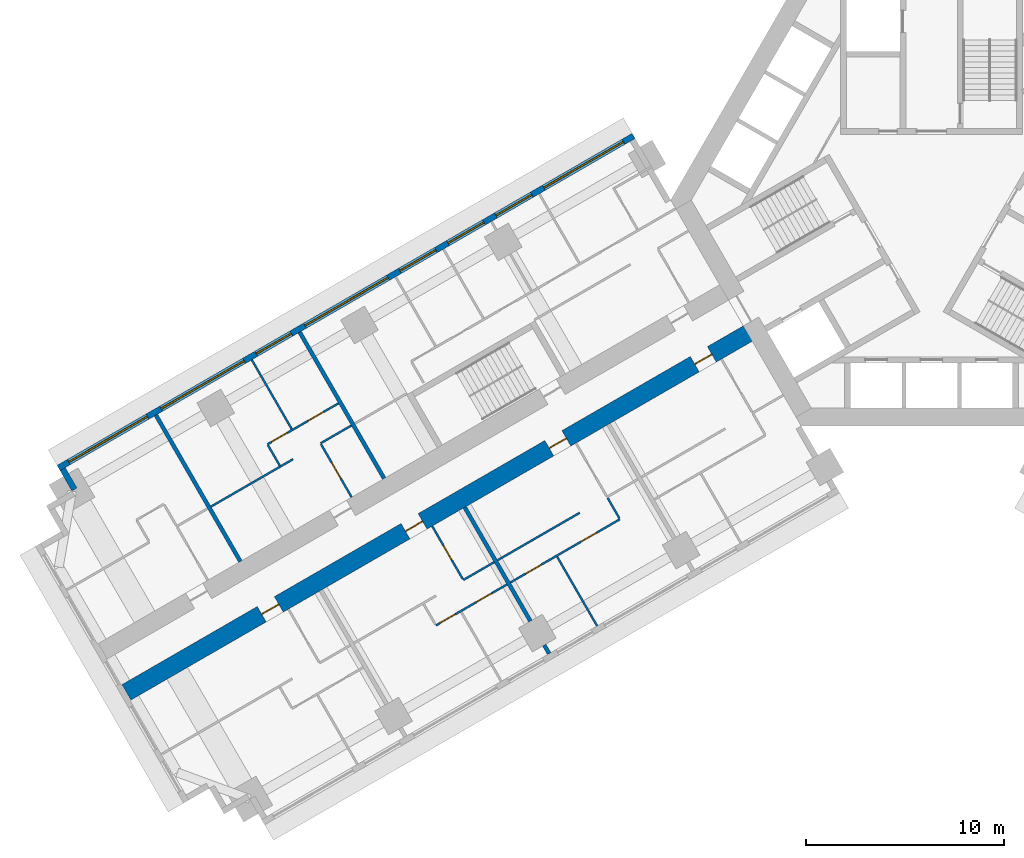
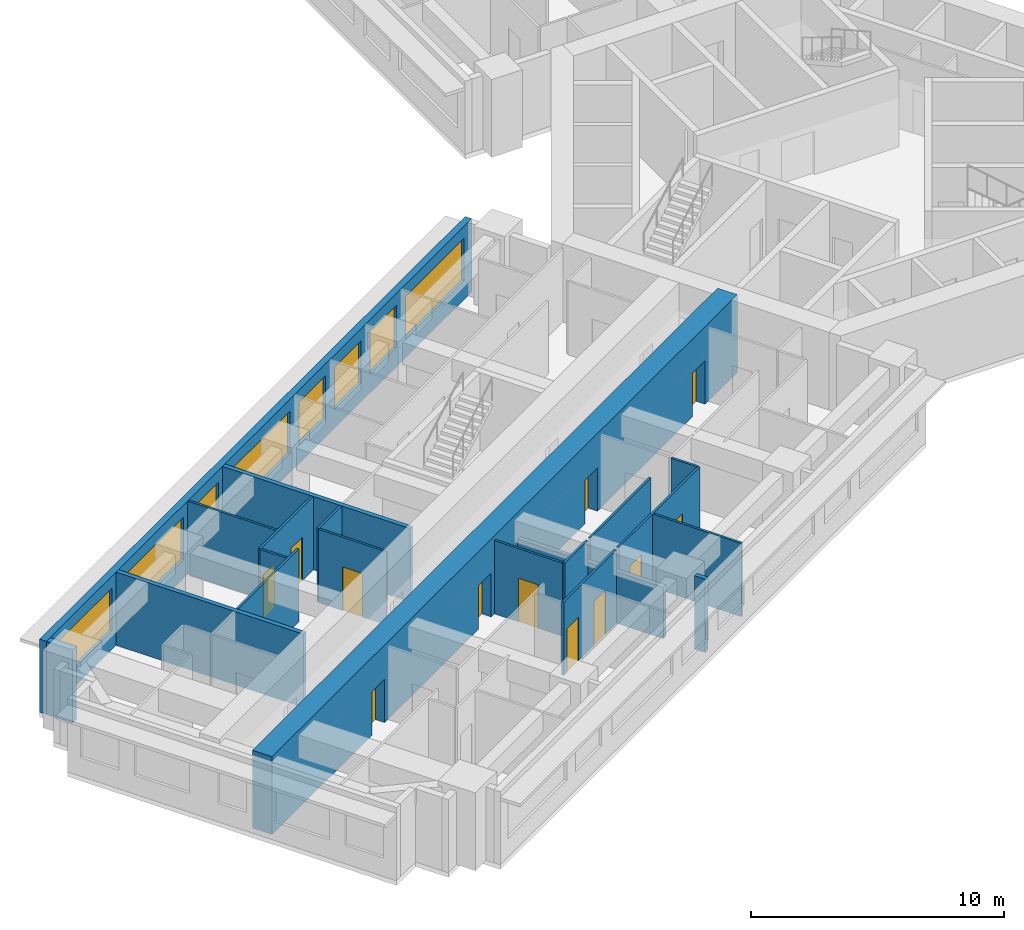
# One storey, part 4 of 15: 20 walls, 12 doors, 8 windows, 20 openings.
"""IFC4 building model written with IfcOpenShell, lengths in metres."""

from ifc_helpers import new_model, si_unit, direction, frame, frame_2d, origin, place, context, subcontext, project, spatial, rectangle, extrude, material, layer, layer_set, type_object, element, fill, save


model = new_model("IFC4")

# Units and contexts
model_context = context("Model", 3, precision=1e-05, world=origin(), true_north=direction((0.0, 1.0)))
body_context = subcontext(model_context, "Body", "Model", "MODEL_VIEW")
ifc_project = project(units=[si_unit("LENGTHUNIT", "METRE"), si_unit("AREAUNIT", "SQUARE_METRE"), si_unit("VOLUMEUNIT", "CUBIC_METRE"), si_unit("PLANEANGLEUNIT", "RADIAN"), si_unit("MASSUNIT", "GRAM", prefix="KILO")], contexts=[model_context])

# Site, building, storey
site_placement = place(None, origin())
site = spatial("IfcSite", under=ifc_project, at=site_placement, CompositionType="ELEMENT")
building_placement = place(site_placement, origin())
building = spatial("IfcBuilding", under=site, at=building_placement, Name="Impinga Residences", CompositionType="ELEMENT")
storey_placement = place(building_placement, frame((0.0, 0.0, 82.25)))
storey = spatial("IfcBuildingStorey", under=building, at=storey_placement, Name="L20", CompositionType="ELEMENT", Elevation=82.25)

# Wall, openings, doors
ifc_material_1 = material(Name="Concrete C70/85", Category="concrete")
ifc_layer_1 = layer(ifc_material_1, 0.89990234375)
ifc_layer_set_1 = layer_set([ifc_layer_1], Name="Concrete C70/85")
wall_type_1 = type_object("IfcWallType", Name="BW1 corridor buttress wall, L05 to L22 900", PredefinedType="SHEAR", material=ifc_layer_set_1)
wall_1_placement = place(storey_placement, frame((-8.910400390625, -6.530029296875, 0.0), z_axis=(0.0, 0.0, 1.0), x_axis=(-0.866025284237, -0.500000207062, 0.0)))
wall_1 = element("IfcWall", 1, at=wall_1_placement, inside=storey, type_object=wall_type_1, Name="Corridor wall BW1 WC L20", PredefinedType="SHEAR", context=body_context, shape_type="SweptSolid", body=[
    extrude(rectangle(XDim=36.75, YDim=0.89990234375, at=frame_2d((18.375, 0.0))), origin(), (0.0, 0.0, 1.0), 3.75),
])
opening_1_placement = place(wall_1_placement, frame((2.550048828125, 0.0, 0.0)))
opening_1 = element("IfcOpeningElement", 2, at=opening_1_placement, cuts=wall_1, Name="Opening D1", PredefinedType="OPENING", context=body_context, shape_type="SweptSolid", body=[
    extrude(rectangle(XDim=1.0, YDim=2.10009765625, at=frame_2d((0.5, 1.050048828125))), frame((0.0, 0.4599609375, 0.0), z_axis=(0.0, -1.0, 0.0), x_axis=(1.0, 0.0, 0.0)), (0.0, 0.0, 1.0), 0.919921875),
])
opening_2_placement = place(wall_1_placement, frame((11.050048828125, 0.0, 0.0)))
opening_2 = element("IfcOpeningElement", 3, at=opening_2_placement, cuts=wall_1, Name="Opening D1", PredefinedType="OPENING", context=body_context, shape_type="SweptSolid", body=[
    extrude(rectangle(XDim=1.0, YDim=2.10009765625, at=frame_2d((0.5, 1.050048828125))), frame((0.0, 0.4599609375, 0.0), z_axis=(0.0, -1.0, 0.0), x_axis=(1.0, 0.0, 0.0)), (0.0, 0.0, 1.0), 0.919921875),
])
opening_3_placement = place(wall_1_placement, frame((19.449951171875, 0.0, 0.0)))
opening_3 = element("IfcOpeningElement", 4, at=opening_3_placement, cuts=wall_1, Name="Opening D1", PredefinedType="OPENING", context=body_context, shape_type="SweptSolid", body=[
    extrude(rectangle(XDim=1.0, YDim=2.10009765625, at=frame_2d((0.5, 1.050048828125))), frame((0.0, 0.4599609375, 0.0), z_axis=(0.0, -1.0, 0.0), x_axis=(1.0, 0.0, 0.0)), (0.0, 0.0, 1.0), 0.919921875),
])
opening_4_placement = place(wall_1_placement, frame((27.85009765625, 0.0, 0.0)))
opening_4 = element("IfcOpeningElement", 5, at=opening_4_placement, cuts=wall_1, Name="Opening D1", PredefinedType="OPENING", context=body_context, shape_type="SweptSolid", body=[
    extrude(rectangle(XDim=1.0, YDim=2.10009765625, at=frame_2d((0.5, 1.050048828125))), frame((0.0, 0.4599609375, 0.0), z_axis=(0.0, -1.0, 0.0), x_axis=(1.0, 0.0, 0.0)), (0.0, 0.0, 1.0), 0.919921875),
])
ifc_material_2 = material(Name="Timber door set", Category="wood")
door_type_1 = type_object("IfcDoorType", Name="D1 apartment entrance door 1000x2100", OperationType="SINGLE_SWING_LEFT", PredefinedType="DOOR", material=ifc_material_2)
door_1_placement = place(opening_1_placement, origin())
door_1 = element("IfcDoor", 6, at=door_1_placement, inside=storey, type_object=door_type_1, Name="Apartment L20-WA1 entrance", OperationType="SINGLE_SWING_LEFT", OverallHeight=2.10009765625, OverallWidth=1.0, PredefinedType="DOOR", context=body_context, shape_type="SweptSolid", body=[
    extrude(rectangle(XDim=1.0, YDim=2.10009765625, at=frame_2d((0.5, 1.050048828125))), frame((0.0, 0.02490234375, 0.0), z_axis=(0.0, -1.0, 0.0), x_axis=(1.0, 0.0, 0.0)), (0.0, 0.0, 1.0), 0.050048828125),
])
fill(opening_1, door_1)
door_2_placement = place(opening_2_placement, origin())
door_2 = element("IfcDoor", 7, at=door_2_placement, inside=storey, type_object=door_type_1, Name="Apartment L20-WA2 entrance", OperationType="SINGLE_SWING_LEFT", OverallHeight=2.10009765625, OverallWidth=1.0, PredefinedType="DOOR", context=body_context, shape_type="SweptSolid", body=[
    extrude(rectangle(XDim=1.0, YDim=2.10009765625, at=frame_2d((0.5, 1.050048828125))), frame((0.0, 0.02490234375, 0.0), z_axis=(0.0, -1.0, 0.0), x_axis=(1.0, 0.0, 0.0)), (0.0, 0.0, 1.0), 0.050048828125),
])
fill(opening_2, door_2)
door_3_placement = place(opening_3_placement, origin())
door_3 = element("IfcDoor", 8, at=door_3_placement, inside=storey, type_object=door_type_1, Name="Apartment L20-WA3 entrance", OperationType="SINGLE_SWING_RIGHT", OverallHeight=2.10009765625, OverallWidth=1.0, PredefinedType="DOOR", context=body_context, shape_type="SweptSolid", body=[
    extrude(rectangle(XDim=1.0, YDim=2.10009765625, at=frame_2d((0.5, 1.050048828125))), frame((0.0, 0.02490234375, 0.0), z_axis=(0.0, -1.0, 0.0), x_axis=(1.0, 0.0, 0.0)), (0.0, 0.0, 1.0), 0.050048828125),
])
fill(opening_3, door_3)
door_4_placement = place(opening_4_placement, origin())
door_4 = element("IfcDoor", 9, at=door_4_placement, inside=storey, type_object=door_type_1, Name="Apartment L20-WA4 entrance", OperationType="SINGLE_SWING_RIGHT", OverallHeight=2.10009765625, OverallWidth=1.0, PredefinedType="DOOR", context=body_context, shape_type="SweptSolid", body=[
    extrude(rectangle(XDim=1.0, YDim=2.10009765625, at=frame_2d((0.5, 1.050048828125))), frame((0.0, 0.02490234375, 0.0), z_axis=(0.0, -1.0, 0.0), x_axis=(1.0, 0.0, 0.0)), (0.0, 0.0, 1.0), 0.050048828125),
])
fill(opening_4, door_4)

# Wall
ifc_material_3 = material(Name="Terracotta rainscreen on blockwork", Category="masonry")
ifc_layer_2 = layer(ifc_material_3, 0.300048828125)
ifc_layer_set_2 = layer_set([ifc_layer_2], Name="EW1 external wall, terracotta rainscreen on blockwork 300")
wall_type_2 = type_object("IfcWallType", Name="EW1 external wall, terracotta rainscreen on blockwork 300", PredefinedType="SOLIDWALL", material=ifc_layer_set_2)
wall_2_placement = place(storey_placement, frame((-43.37109375, -14.64208984375, 0.0), z_axis=(0.0, 0.0, 1.0), x_axis=(-0.500029051137, 0.866008630453, 0.0)))
element("IfcWall", 10, at=wall_2_placement, inside=storey, type_object=wall_type_2, Name="External wall EW1 L20", PredefinedType="SOLIDWALL", context=body_context, shape_type="SweptSolid", body=[
    extrude(rectangle(XDim=1.19482421875, YDim=0.300048828125, at=frame_2d((0.597412109375, 0.0))), origin(), (0.0, 0.0, 1.0), 3.530029296875),
])

# Wall, openings, windows
wall_3_placement = place(storey_placement, frame((-44.17333984375, -13.552490234375, 0.0), z_axis=(0.0, 0.0, 1.0), x_axis=(0.866024291668, 0.500001926238, 0.0)))
wall_3 = element("IfcWall", 11, at=wall_3_placement, inside=storey, type_object=wall_type_2, Name="External wall EW1 L20", PredefinedType="SOLIDWALL", context=body_context, shape_type="SweptSolid", body=[
    extrude(rectangle(XDim=33.599853515625, YDim=0.300048828125, at=frame_2d((16.7998046875, 0.0))), origin(), (0.0, 0.0, 1.0), 3.530029296875),
])
opening_5_placement = place(wall_3_placement, frame((0.60009765625, 0.0, 0.89990234375)))
opening_5 = element("IfcOpeningElement", 12, at=opening_5_placement, cuts=wall_3, Name="Opening W3", PredefinedType="OPENING", context=body_context, shape_type="SweptSolid", body=[
    extrude(rectangle(XDim=4.60009765625, YDim=2.050048828125, at=frame_2d((2.300048828125, 1.02490234375))), frame((0.0, 0.159912109375, 0.0), z_axis=(0.0, -1.0, 0.0), x_axis=(1.0, 0.0, 0.0)), (0.0, 0.0, 1.0), 0.320068359375),
])
opening_6_placement = place(wall_3_placement, frame((6.0, 0.0, 0.89990234375)))
opening_6 = element("IfcOpeningElement", 13, at=opening_6_placement, cuts=wall_3, Name="Opening W6", PredefinedType="OPENING", context=body_context, shape_type="SweptSolid", body=[
    extrude(rectangle(XDim=4.85009765625, YDim=2.050048828125, at=frame_2d((2.425048828125, 1.02490234375))), frame((0.0, 0.159912109375, 0.0), z_axis=(0.0, -1.0, 0.0), x_axis=(1.0, 0.0, 0.0)), (0.0, 0.0, 1.0), 0.320068359375),
])
opening_7_placement = place(wall_3_placement, frame((11.550048828125, 0.0, 0.89990234375)))
opening_7 = element("IfcOpeningElement", 14, at=opening_7_placement, cuts=wall_3, Name="Opening W14", PredefinedType="OPENING", context=body_context, shape_type="SweptSolid", body=[
    extrude(rectangle(XDim=2.050048828125, YDim=2.050048828125, at=frame_2d((1.02490234375, 1.02490234375))), frame((0.0, 0.159912109375, 0.0), z_axis=(0.0, -1.0, 0.0), x_axis=(1.0, 0.0, 0.0)), (0.0, 0.0, 1.0), 0.320068359375),
])
opening_8_placement = place(wall_3_placement, frame((14.39990234375, 0.0, 0.89990234375)))
opening_8 = element("IfcOpeningElement", 15, at=opening_8_placement, cuts=wall_3, Name="Opening W6", PredefinedType="OPENING", context=body_context, shape_type="SweptSolid", body=[
    extrude(rectangle(XDim=4.85009765625, YDim=2.050048828125, at=frame_2d((2.425048828125, 1.02490234375))), frame((0.0, 0.159912109375, 0.0), z_axis=(0.0, -1.0, 0.0), x_axis=(1.0, 0.0, 0.0)), (0.0, 0.0, 1.0), 0.320068359375),
])
opening_9_placement = place(wall_3_placement, frame((19.949951171875, 0.0, 0.89990234375)))
opening_9 = element("IfcOpeningElement", 16, at=opening_9_placement, cuts=wall_3, Name="Opening W9", PredefinedType="OPENING", context=body_context, shape_type="SweptSolid", body=[
    extrude(rectangle(XDim=2.10009765625, YDim=2.050048828125, at=frame_2d((1.050048828125, 1.02490234375))), frame((0.0, 0.159912109375, 0.0), z_axis=(0.0, -1.0, 0.0), x_axis=(1.0, 0.0, 0.0)), (0.0, 0.0, 1.0), 0.320068359375),
])
opening_10_placement = place(wall_3_placement, frame((22.75, 0.0, 0.89990234375)))
opening_10 = element("IfcOpeningElement", 17, at=opening_10_placement, cuts=wall_3, Name="Opening W9", PredefinedType="OPENING", context=body_context, shape_type="SweptSolid", body=[
    extrude(rectangle(XDim=2.10009765625, YDim=2.050048828125, at=frame_2d((1.050048828125, 1.02490234375))), frame((0.0, 0.159912109375, 0.0), z_axis=(0.0, -1.0, 0.0), x_axis=(1.0, 0.0, 0.0)), (0.0, 0.0, 1.0), 0.320068359375),
])
opening_11_placement = place(wall_3_placement, frame((25.550048828125, 0.0, 0.89990234375)))
opening_11 = element("IfcOpeningElement", 18, at=opening_11_placement, cuts=wall_3, Name="Opening W9", PredefinedType="OPENING", context=body_context, shape_type="SweptSolid", body=[
    extrude(rectangle(XDim=2.10009765625, YDim=2.050048828125, at=frame_2d((1.050048828125, 1.02490234375))), frame((0.0, 0.159912109375, 0.0), z_axis=(0.0, -1.0, 0.0), x_axis=(1.0, 0.0, 0.0)), (0.0, 0.0, 1.0), 0.320068359375),
])
opening_12_placement = place(wall_3_placement, frame((28.35009765625, 0.0, 0.89990234375)))
opening_12 = element("IfcOpeningElement", 19, at=opening_12_placement, cuts=wall_3, Name="Opening W10", PredefinedType="OPENING", context=body_context, shape_type="SweptSolid", body=[
    extrude(rectangle(XDim=4.64990234375, YDim=2.050048828125, at=frame_2d((2.324951171875, 1.02490234375))), frame((0.0, 0.159912109375, 0.0), z_axis=(0.0, -1.0, 0.0), x_axis=(1.0, 0.0, 0.0)), (0.0, 0.0, 1.0), 0.320068359375),
])
ifc_material_4 = material(Name="Aluminium window, clear double glazing", Category="aluminium")
window_type_1 = type_object("IfcWindowType", Name="W10 ribbon window 4650x2050", PartitioningType="SINGLE_PANEL", PredefinedType="WINDOW", material=ifc_material_4)
window_1_placement = place(opening_12_placement, origin())
window_1 = element("IfcWindow", 20, at=window_1_placement, inside=storey, type_object=window_type_1, Name="Window L20", OverallHeight=2.050048828125, OverallWidth=4.64990234375, PartitioningType="SINGLE_PANEL", PredefinedType="WINDOW", context=body_context, shape_type="SweptSolid", body=[
    extrude(rectangle(XDim=4.64990234375, YDim=2.050048828125, at=frame_2d((2.324951171875, 1.02490234375))), frame((0.0, 0.030029296875, 0.0), z_axis=(0.0, -1.0, 0.0), x_axis=(1.0, 0.0, 0.0)), (0.0, 0.0, 1.0), 0.06005859375),
])
fill(opening_12, window_1)
window_type_2 = type_object("IfcWindowType", Name="W14 ribbon window 2050x2050", PartitioningType="SINGLE_PANEL", PredefinedType="WINDOW", material=ifc_material_4)
window_2_placement = place(opening_7_placement, origin())
window_2 = element("IfcWindow", 21, at=window_2_placement, inside=storey, type_object=window_type_2, Name="Window L20", OverallHeight=2.050048828125, OverallWidth=2.050048828125, PartitioningType="SINGLE_PANEL", PredefinedType="WINDOW", context=body_context, shape_type="SweptSolid", body=[
    extrude(rectangle(XDim=2.050048828125, YDim=2.050048828125, at=frame_2d((1.02490234375, 1.02490234375))), frame((0.0, 0.030029296875, 0.0), z_axis=(0.0, -1.0, 0.0), x_axis=(1.0, 0.0, 0.0)), (0.0, 0.0, 1.0), 0.06005859375),
])
fill(opening_7, window_2)
window_type_3 = type_object("IfcWindowType", Name="W3 ribbon window 4600x2050", PartitioningType="SINGLE_PANEL", PredefinedType="WINDOW", material=ifc_material_4)
window_3_placement = place(opening_5_placement, origin())
window_3 = element("IfcWindow", 22, at=window_3_placement, inside=storey, type_object=window_type_3, Name="Window L20", OverallHeight=2.050048828125, OverallWidth=4.60009765625, PartitioningType="SINGLE_PANEL", PredefinedType="WINDOW", context=body_context, shape_type="SweptSolid", body=[
    extrude(rectangle(XDim=4.60009765625, YDim=2.050048828125, at=frame_2d((2.300048828125, 1.02490234375))), frame((0.0, 0.030029296875, 0.0), z_axis=(0.0, -1.0, 0.0), x_axis=(1.0, 0.0, 0.0)), (0.0, 0.0, 1.0), 0.06005859375),
])
fill(opening_5, window_3)
window_type_4 = type_object("IfcWindowType", Name="W6 ribbon window 4850x2050", PartitioningType="SINGLE_PANEL", PredefinedType="WINDOW", material=ifc_material_4)
window_4_placement = place(opening_6_placement, origin())
window_4 = element("IfcWindow", 23, at=window_4_placement, inside=storey, type_object=window_type_4, Name="Window L20", OverallHeight=2.050048828125, OverallWidth=4.85009765625, PartitioningType="SINGLE_PANEL", PredefinedType="WINDOW", context=body_context, shape_type="SweptSolid", body=[
    extrude(rectangle(XDim=4.85009765625, YDim=2.050048828125, at=frame_2d((2.425048828125, 1.02490234375))), frame((0.0, 0.030029296875, 0.0), z_axis=(0.0, -1.0, 0.0), x_axis=(1.0, 0.0, 0.0)), (0.0, 0.0, 1.0), 0.06005859375),
])
fill(opening_6, window_4)
window_5_placement = place(opening_8_placement, origin())
window_5 = element("IfcWindow", 24, at=window_5_placement, inside=storey, type_object=window_type_4, Name="Window L20", OverallHeight=2.050048828125, OverallWidth=4.85009765625, PartitioningType="SINGLE_PANEL", PredefinedType="WINDOW", context=body_context, shape_type="SweptSolid", body=[
    extrude(rectangle(XDim=4.85009765625, YDim=2.050048828125, at=frame_2d((2.425048828125, 1.02490234375))), frame((0.0, 0.030029296875, 0.0), z_axis=(0.0, -1.0, 0.0), x_axis=(1.0, 0.0, 0.0)), (0.0, 0.0, 1.0), 0.06005859375),
])
fill(opening_8, window_5)
window_type_5 = type_object("IfcWindowType", Name="W9 ribbon window 2100x2050", PartitioningType="SINGLE_PANEL", PredefinedType="WINDOW", material=ifc_material_4)
window_6_placement = place(opening_9_placement, origin())
window_6 = element("IfcWindow", 25, at=window_6_placement, inside=storey, type_object=window_type_5, Name="Window L20", OverallHeight=2.050048828125, OverallWidth=2.10009765625, PartitioningType="SINGLE_PANEL", PredefinedType="WINDOW", context=body_context, shape_type="SweptSolid", body=[
    extrude(rectangle(XDim=2.10009765625, YDim=2.050048828125, at=frame_2d((1.050048828125, 1.02490234375))), frame((0.0, 0.030029296875, 0.0), z_axis=(0.0, -1.0, 0.0), x_axis=(1.0, 0.0, 0.0)), (0.0, 0.0, 1.0), 0.06005859375),
])
fill(opening_9, window_6)
window_7_placement = place(opening_10_placement, origin())
window_7 = element("IfcWindow", 26, at=window_7_placement, inside=storey, type_object=window_type_5, Name="Window L20", OverallHeight=2.050048828125, OverallWidth=2.10009765625, PartitioningType="SINGLE_PANEL", PredefinedType="WINDOW", context=body_context, shape_type="SweptSolid", body=[
    extrude(rectangle(XDim=2.10009765625, YDim=2.050048828125, at=frame_2d((1.050048828125, 1.02490234375))), frame((0.0, 0.030029296875, 0.0), z_axis=(0.0, -1.0, 0.0), x_axis=(1.0, 0.0, 0.0)), (0.0, 0.0, 1.0), 0.06005859375),
])
fill(opening_10, window_7)
window_8_placement = place(opening_11_placement, origin())
window_8 = element("IfcWindow", 27, at=window_8_placement, inside=storey, type_object=window_type_5, Name="Window L20", OverallHeight=2.050048828125, OverallWidth=2.10009765625, PartitioningType="SINGLE_PANEL", PredefinedType="WINDOW", context=body_context, shape_type="SweptSolid", body=[
    extrude(rectangle(XDim=2.10009765625, YDim=2.050048828125, at=frame_2d((1.050048828125, 1.02490234375))), frame((0.0, 0.030029296875, 0.0), z_axis=(0.0, -1.0, 0.0), x_axis=(1.0, 0.0, 0.0)), (0.0, 0.0, 1.0), 0.06005859375),
])
fill(opening_11, window_8)

# Wall
ifc_material_5 = material(Name="Gypsum board on steel studs", Category="steel")
ifc_layer_3 = layer(ifc_material_5, 0.10009765625)
ifc_layer_set_3 = layer_set([ifc_layer_3], Name="Gypsum board on steel studs")
wall_type_3 = type_object("IfcWallType", Name="IP1 partition 100", PredefinedType="PARTITIONING", material=ifc_layer_set_3)
wall_4_placement = place(storey_placement, frame((-17.8056640625, -15.82275390625, 0.0), z_axis=(0.0, 0.0, 1.0), x_axis=(-0.866037363387, -0.499979284789, 0.0)))
element("IfcWall", 28, at=wall_4_placement, inside=storey, type_object=wall_type_3, Name="Partition L20-WA2:DIV1", PredefinedType="PARTITIONING", context=body_context, shape_type="SweptSolid", body=[
    extrude(rectangle(XDim=4.800048828125, YDim=0.10009765625, at=frame_2d((2.39990234375, 0.0))), origin(), (0.0, 0.0, 1.0), 3.530029296875),
])

# Wall, openings, doors
wall_5_placement = place(storey_placement, frame((-15.77001953125, -16.1484375, 0.0), z_axis=(0.0, 0.0, 1.0), x_axis=(-0.866018518567, -0.500011925357, 0.0)))
wall_5 = element("IfcWall", 29, at=wall_5_placement, inside=storey, type_object=wall_type_3, Name="Partition L20-WA2:STRIP", PredefinedType="PARTITIONING", context=body_context, shape_type="SweptSolid", body=[
    extrude(rectangle(XDim=6.400146484375, YDim=0.10009765625, at=frame_2d((3.2001953125, 0.0))), origin(), (0.0, 0.0, 1.0), 3.530029296875),
])
opening_13_placement = place(wall_5_placement, frame((1.375, 0.0, 0.0)))
opening_13 = element("IfcOpeningElement", 30, at=opening_13_placement, cuts=wall_5, Name="Opening D2", PredefinedType="OPENING", context=body_context, shape_type="SweptSolid", body=[
    extrude(rectangle(XDim=0.89990234375, YDim=2.10009765625, at=frame_2d((0.449951171875, 1.050048828125))), frame((0.0, 0.06005859375, 0.0), z_axis=(0.0, -1.0, 0.0), x_axis=(1.0, 0.0, 0.0)), (0.0, 0.0, 1.0), 0.1201171875),
])
opening_14_placement = place(wall_5_placement, frame((4.625, 0.0, 0.0)))
opening_14 = element("IfcOpeningElement", 31, at=opening_14_placement, cuts=wall_5, Name="Opening D2", PredefinedType="OPENING", context=body_context, shape_type="SweptSolid", body=[
    extrude(rectangle(XDim=0.89990234375, YDim=2.10009765625, at=frame_2d((0.449951171875, 1.050048828125))), frame((0.0, 0.06005859375, 0.0), z_axis=(0.0, -1.0, 0.0), x_axis=(1.0, 0.0, 0.0)), (0.0, 0.0, 1.0), 0.1201171875),
])
door_type_2 = type_object("IfcDoorType", Name="D2 internal door 900x2100", OperationType="SINGLE_SWING_LEFT", PredefinedType="DOOR", material=ifc_material_2)
door_5_placement = place(opening_13_placement, origin())
door_5 = element("IfcDoor", 32, at=door_5_placement, inside=storey, type_object=door_type_2, Name="Apartment L20-WA2 room door", OperationType="SINGLE_SWING_LEFT", OverallHeight=2.10009765625, OverallWidth=0.89990234375, PredefinedType="DOOR", context=body_context, shape_type="SweptSolid", body=[
    extrude(rectangle(XDim=0.89990234375, YDim=2.10009765625, at=frame_2d((0.449951171875, 1.050048828125))), frame((0.0, 0.02490234375, 0.0), z_axis=(0.0, -1.0, 0.0), x_axis=(1.0, 0.0, 0.0)), (0.0, 0.0, 1.0), 0.050048828125),
])
fill(opening_13, door_5)
door_6_placement = place(opening_14_placement, origin())
door_6 = element("IfcDoor", 33, at=door_6_placement, inside=storey, type_object=door_type_2, Name="Apartment L20-WA2 room door", OperationType="SINGLE_SWING_RIGHT", OverallHeight=2.10009765625, OverallWidth=0.89990234375, PredefinedType="DOOR", context=body_context, shape_type="SweptSolid", body=[
    extrude(rectangle(XDim=0.89990234375, YDim=2.10009765625, at=frame_2d((0.449951171875, 1.050048828125))), frame((0.0, 0.02490234375, 0.0), z_axis=(0.0, -1.0, 0.0), x_axis=(1.0, 0.0, 0.0)), (0.0, 0.0, 1.0), 0.050048828125),
])
fill(opening_14, door_6)

# Walls
wall_6_placement = place(storey_placement, frame((-16.39501953125, -15.06591796875, 0.0), z_axis=(0.0, 0.0, 1.0), x_axis=(0.499880961361, -0.866094119867, 0.0)))
element("IfcWall", 34, at=wall_6_placement, inside=storey, type_object=wall_type_3, Name="Partition L20-WA2:SE0", PredefinedType="PARTITIONING", context=body_context, shape_type="SweptSolid", body=[
    extrude(rectangle(XDim=1.199951171875, YDim=0.10009765625, at=frame_2d((0.60009765625, 0.0))), origin(), (0.0, 0.0, 1.0), 3.530029296875),
])
wall_7_placement = place(storey_placement, frame((-18.949462890625, -18.041748046875, 0.0), z_axis=(0.0, 0.0, 1.0), x_axis=(0.50000943426, -0.866019956843, 0.0)))
element("IfcWall", 35, at=wall_7_placement, inside=storey, type_object=wall_type_3, Name="Partition L20-WA2:OB1", PredefinedType="PARTITIONING", context=body_context, shape_type="SweptSolid", body=[
    extrude(rectangle(XDim=4.05029296875, YDim=0.10009765625, at=frame_2d((2.025146484375, 0.0))), origin(), (0.0, 0.0, 1.0), 3.530029296875),
])
wall_8_placement = place(storey_placement, frame((-22.1357421875, -18.32275390625, 0.0), z_axis=(0.0, 0.0, 1.0), x_axis=(-0.866047807691, -0.499961193289, 0.0)))
element("IfcWall", 36, at=wall_8_placement, inside=storey, type_object=wall_type_3, Name="Partition L20-WA3:DIV0", PredefinedType="PARTITIONING", context=body_context, shape_type="SweptSolid", body=[
    extrude(rectangle(XDim=1.800048828125, YDim=0.10009765625, at=frame_2d((0.89990234375, 0.0))), origin(), (0.0, 0.0, 1.0), 3.530029296875),
])

# Wall, openings, doors
wall_9_placement = place(storey_placement, frame((-21.48583984375, -19.448486328125, 0.0), z_axis=(0.0, 0.0, 1.0), x_axis=(-0.86602981871, -0.499992353047, 0.0)))
wall_9 = element("IfcWall", 37, at=wall_9_placement, inside=storey, type_object=wall_type_3, Name="Partition L20-WA3:STRIP", PredefinedType="PARTITIONING", context=body_context, shape_type="SweptSolid", body=[
    extrude(rectangle(XDim=4.14990234375, YDim=0.10009765625, at=frame_2d((2.074951171875, 0.0))), origin(), (0.0, 0.0, 1.0), 3.530029296875),
])
opening_15_placement = place(wall_9_placement, frame((0.875, 0.0, 0.0)))
opening_15 = element("IfcOpeningElement", 38, at=opening_15_placement, cuts=wall_9, Name="Opening D2", PredefinedType="OPENING", context=body_context, shape_type="SweptSolid", body=[
    extrude(rectangle(XDim=0.89990234375, YDim=2.10009765625, at=frame_2d((0.449951171875, 1.050048828125))), frame((0.0, 0.06005859375, 0.0), z_axis=(0.0, -1.0, 0.0), x_axis=(1.0, 0.0, 0.0)), (0.0, 0.0, 1.0), 0.1201171875),
])
opening_16_placement = place(wall_9_placement, frame((3.0, 0.0, 0.0)))
opening_16 = element("IfcOpeningElement", 39, at=opening_16_placement, cuts=wall_9, Name="Opening D2", PredefinedType="OPENING", context=body_context, shape_type="SweptSolid", body=[
    extrude(rectangle(XDim=0.89990234375, YDim=2.10009765625, at=frame_2d((0.449951171875, 1.050048828125))), frame((0.0, 0.06005859375, 0.0), z_axis=(0.0, -1.0, 0.0), x_axis=(1.0, 0.0, 0.0)), (0.0, 0.0, 1.0), 0.1201171875),
])
door_7_placement = place(opening_15_placement, origin())
door_7 = element("IfcDoor", 40, at=door_7_placement, inside=storey, type_object=door_type_2, Name="Apartment L20-WA3 room door", OperationType="SINGLE_SWING_LEFT", OverallHeight=2.10009765625, OverallWidth=0.89990234375, PredefinedType="DOOR", context=body_context, shape_type="SweptSolid", body=[
    extrude(rectangle(XDim=0.89990234375, YDim=2.10009765625, at=frame_2d((0.449951171875, 1.050048828125))), frame((0.0, 0.02490234375, 0.0), z_axis=(0.0, -1.0, 0.0), x_axis=(1.0, 0.0, 0.0)), (0.0, 0.0, 1.0), 0.050048828125),
])
fill(opening_15, door_7)
door_8_placement = place(opening_16_placement, origin())
door_8 = element("IfcDoor", 41, at=door_8_placement, inside=storey, type_object=door_type_2, Name="Apartment L20-WA3 room door", OperationType="SINGLE_SWING_RIGHT", OverallHeight=2.10009765625, OverallWidth=0.89990234375, PredefinedType="DOOR", context=body_context, shape_type="SweptSolid", body=[
    extrude(rectangle(XDim=0.89990234375, YDim=2.10009765625, at=frame_2d((0.449951171875, 1.050048828125))), frame((0.0, 0.02490234375, 0.0), z_axis=(0.0, -1.0, 0.0), x_axis=(1.0, 0.0, 0.0)), (0.0, 0.0, 1.0), 0.050048828125),
])
fill(opening_16, door_8)

# Wall, opening, door
wall_10_placement = place(storey_placement, frame((-25.269775390625, -16.49462890625, 0.0), z_axis=(0.0, 0.0, 1.0), x_axis=(0.49999285859, -0.86602952684, 0.0)))
wall_10 = element("IfcWall", 42, at=wall_10_placement, inside=storey, type_object=wall_type_3, Name="Partition L20-WA3:IB1", PredefinedType="PARTITIONING", context=body_context, shape_type="SweptSolid", body=[
    extrude(rectangle(XDim=3.10009765625, YDim=0.10009765625, at=frame_2d((1.550048828125, 0.0))), origin(), (0.0, 0.0, 1.0), 3.530029296875),
])
opening_17_placement = place(wall_10_placement, frame((1.10009765625, 0.0, 0.0)))
opening_17 = element("IfcOpeningElement", 43, at=opening_17_placement, cuts=wall_10, Name="Opening D2", PredefinedType="OPENING", context=body_context, shape_type="SweptSolid", body=[
    extrude(rectangle(XDim=0.89990234375, YDim=2.10009765625, at=frame_2d((0.449951171875, 1.050048828125))), frame((0.0, 0.06005859375, 0.0), z_axis=(0.0, -1.0, 0.0), x_axis=(1.0, 0.0, 0.0)), (0.0, 0.0, 1.0), 0.1201171875),
])
door_9_placement = place(opening_17_placement, origin())
door_9 = element("IfcDoor", 44, at=door_9_placement, inside=storey, type_object=door_type_2, Name="Apartment L20-WA3 bathroom door", OperationType="SINGLE_SWING_LEFT", OverallHeight=2.10009765625, OverallWidth=0.89990234375, PredefinedType="DOOR", context=body_context, shape_type="SweptSolid", body=[
    extrude(rectangle(XDim=0.89990234375, YDim=2.10009765625, at=frame_2d((0.449951171875, 1.050048828125))), frame((0.0, 0.02490234375, 0.0), z_axis=(0.0, -1.0, 0.0), x_axis=(1.0, 0.0, 0.0)), (0.0, 0.0, 1.0), 0.050048828125),
])
fill(opening_17, door_9)

# Walls
wall_11_placement = place(storey_placement, frame((-29.360595703125, -11.408935546875, 0.0), z_axis=(0.0, 0.0, 1.0), x_axis=(-0.866047807691, -0.499961193289, 0.0)))
element("IfcWall", 45, at=wall_11_placement, inside=storey, type_object=wall_type_3, Name="Partition L20-WF2:DIV0", PredefinedType="PARTITIONING", context=body_context, shape_type="SweptSolid", body=[
    extrude(rectangle(XDim=1.800048828125, YDim=0.10009765625, at=frame_2d((0.89990234375, 0.0))), origin(), (0.0, 0.0, 1.0), 3.530029296875),
])
wall_12_placement = place(storey_placement, frame((-32.30517578125, -13.10888671875, 0.0), z_axis=(0.0, 0.0, 1.0), x_axis=(-0.866037363387, -0.499979284789, 0.0)))
element("IfcWall", 46, at=wall_12_placement, inside=storey, type_object=wall_type_3, Name="Partition L20-WF2:DIV1", PredefinedType="PARTITIONING", context=body_context, shape_type="SweptSolid", body=[
    extrude(rectangle(XDim=4.800048828125, YDim=0.10009765625, at=frame_2d((2.39990234375, 0.0))), origin(), (0.0, 0.0, 1.0), 3.530029296875),
])

# Wall, openings, doors
wall_13_placement = place(storey_placement, frame((-30.0107421875, -10.282958984375, 0.0), z_axis=(0.0, 0.0, 1.0), x_axis=(-0.86602981871, -0.499992353047, 0.0)))
wall_13 = element("IfcWall", 47, at=wall_13_placement, inside=storey, type_object=wall_type_3, Name="Partition L20-WF2:STRIP", PredefinedType="PARTITIONING", context=body_context, shape_type="SweptSolid", body=[
    extrude(rectangle(XDim=4.14990234375, YDim=0.10009765625, at=frame_2d((2.074951171875, 0.0))), origin(), (0.0, 0.0, 1.0), 3.530029296875),
])
opening_18_placement = place(wall_13_placement, frame((0.875, 0.0, 0.0)))
opening_18 = element("IfcOpeningElement", 48, at=opening_18_placement, cuts=wall_13, Name="Opening D2", PredefinedType="OPENING", context=body_context, shape_type="SweptSolid", body=[
    extrude(rectangle(XDim=0.89990234375, YDim=2.10009765625, at=frame_2d((0.449951171875, 1.050048828125))), frame((0.0, 0.06005859375, 0.0), z_axis=(0.0, -1.0, 0.0), x_axis=(1.0, 0.0, 0.0)), (0.0, 0.0, 1.0), 0.1201171875),
])
opening_19_placement = place(wall_13_placement, frame((3.0, 0.0, 0.0)))
opening_19 = element("IfcOpeningElement", 49, at=opening_19_placement, cuts=wall_13, Name="Opening D2", PredefinedType="OPENING", context=body_context, shape_type="SweptSolid", body=[
    extrude(rectangle(XDim=0.89990234375, YDim=2.10009765625, at=frame_2d((0.449951171875, 1.050048828125))), frame((0.0, 0.06005859375, 0.0), z_axis=(0.0, -1.0, 0.0), x_axis=(1.0, 0.0, 0.0)), (0.0, 0.0, 1.0), 0.1201171875),
])
door_10_placement = place(opening_18_placement, origin())
door_10 = element("IfcDoor", 50, at=door_10_placement, inside=storey, type_object=door_type_2, Name="Apartment L20-WF2 room door", OperationType="SINGLE_SWING_LEFT", OverallHeight=2.10009765625, OverallWidth=0.89990234375, PredefinedType="DOOR", context=body_context, shape_type="SweptSolid", body=[
    extrude(rectangle(XDim=0.89990234375, YDim=2.10009765625, at=frame_2d((0.449951171875, 1.050048828125))), frame((0.0, 0.02490234375, 0.0), z_axis=(0.0, -1.0, 0.0), x_axis=(1.0, 0.0, 0.0)), (0.0, 0.0, 1.0), 0.050048828125),
])
fill(opening_18, door_10)
door_11_placement = place(opening_19_placement, origin())
door_11 = element("IfcDoor", 51, at=door_11_placement, inside=storey, type_object=door_type_2, Name="Apartment L20-WF2 room door", OperationType="SINGLE_SWING_RIGHT", OverallHeight=2.10009765625, OverallWidth=0.89990234375, PredefinedType="DOOR", context=body_context, shape_type="SweptSolid", body=[
    extrude(rectangle(XDim=0.89990234375, YDim=2.10009765625, at=frame_2d((0.449951171875, 1.050048828125))), frame((0.0, 0.02490234375, 0.0), z_axis=(0.0, -1.0, 0.0), x_axis=(1.0, 0.0, 0.0)), (0.0, 0.0, 1.0), 0.050048828125),
])
fill(opening_19, door_11)

# Wall
wall_14_placement = place(storey_placement, frame((-32.979736328125, -13.4404296875, 0.0), z_axis=(0.0, 0.0, 1.0), x_axis=(-0.499969057507, 0.866043267704, 0.0)))
element("IfcWall", 52, at=wall_14_placement, inside=storey, type_object=wall_type_3, Name="Partition L20-WF2:SE1", PredefinedType="PARTITIONING", context=body_context, shape_type="SweptSolid", body=[
    extrude(rectangle(XDim=1.19970703125, YDim=0.10009765625, at=frame_2d((0.599853515625, 0.0))), origin(), (0.0, 0.0, 1.0), 3.530029296875),
])

# Wall, opening, door
wall_15_placement = place(storey_placement, frame((-29.344482421875, -15.036865234375, 0.0), z_axis=(0.0, 0.0, 1.0), x_axis=(-0.49999285859, 0.86602952684, 0.0)))
wall_15 = element("IfcWall", 53, at=wall_15_placement, inside=storey, type_object=wall_type_3, Name="Partition L20-WF2:IB1", PredefinedType="PARTITIONING", context=body_context, shape_type="SweptSolid", body=[
    extrude(rectangle(XDim=3.10009765625, YDim=0.10009765625, at=frame_2d((1.550048828125, 0.0))), origin(), (0.0, 0.0, 1.0), 3.530029296875),
])
opening_20_placement = place(wall_15_placement, frame((1.10009765625, 0.0, 0.0)))
opening_20 = element("IfcOpeningElement", 54, at=opening_20_placement, cuts=wall_15, Name="Opening D2", PredefinedType="OPENING", context=body_context, shape_type="SweptSolid", body=[
    extrude(rectangle(XDim=0.89990234375, YDim=2.10009765625, at=frame_2d((0.449951171875, 1.050048828125))), frame((0.0, 0.06005859375, 0.0), z_axis=(0.0, -1.0, 0.0), x_axis=(1.0, 0.0, 0.0)), (0.0, 0.0, 1.0), 0.1201171875),
])
door_12_placement = place(opening_20_placement, origin())
door_12 = element("IfcDoor", 55, at=door_12_placement, inside=storey, type_object=door_type_2, Name="Apartment L20-WF2 bathroom door", OperationType="SINGLE_SWING_LEFT", OverallHeight=2.10009765625, OverallWidth=0.89990234375, PredefinedType="DOOR", context=body_context, shape_type="SweptSolid", body=[
    extrude(rectangle(XDim=0.89990234375, YDim=2.10009765625, at=frame_2d((0.449951171875, 1.050048828125))), frame((0.0, 0.02490234375, 0.0), z_axis=(0.0, -1.0, 0.0), x_axis=(1.0, 0.0, 0.0)), (0.0, 0.0, 1.0), 0.050048828125),
])
fill(opening_20, door_12)

# Walls
wall_16_placement = place(storey_placement, frame((-32.3740234375, -11.589599609375, 0.0), z_axis=(0.0, 0.0, 1.0), x_axis=(-0.499990325971, 0.866030989016, 0.0)))
element("IfcWall", 56, at=wall_16_placement, inside=storey, type_object=wall_type_3, Name="Partition L20-WF2:OB1", PredefinedType="PARTITIONING", context=body_context, shape_type="SweptSolid", body=[
    extrude(rectangle(XDim=4.0498046875, YDim=0.10009765625, at=frame_2d((2.02490234375, 0.0))), origin(), (0.0, 0.0, 1.0), 3.530029296875),
])
ifc_material_6 = material(Name="Concrete blockwork", Category="masonry")
ifc_layer_4 = layer(ifc_material_6, 0.199951171875)
ifc_layer_set_4 = layer_set([ifc_layer_4], Name="PW1 party wall between apartments 200")
wall_type_4 = type_object("IfcWallType", Name="PW1 party wall between apartments 200", PredefinedType="SOLIDWALL", material=ifc_layer_set_4)
wall_17_placement = place(storey_placement, frame((-23.624267578125, -15.544677734375, 0.0), z_axis=(0.0, 0.0, 1.0), x_axis=(0.49999681972, -0.866027239912, 0.0)))
element("IfcWall", 57, at=wall_17_placement, inside=storey, type_object=wall_type_4, Name="Party wall between apartments L20-WA2:PARTY", PredefinedType="SOLIDWALL", context=body_context, shape_type="SweptSolid", body=[
    extrude(rectangle(XDim=6.64990234375, YDim=0.199951171875, at=frame_2d((3.324951171875, 0.0))), origin(), (0.0, 0.0, 1.0), 2.47998046875),
])
wall_18_placement = place(storey_placement, frame((-19.59912109375, -22.51611328125, 0.0), z_axis=(0.0, 0.0, 1.0), x_axis=(0.499919672301, -0.866071776036, 0.0)))
element("IfcWall", 58, at=wall_18_placement, inside=storey, type_object=wall_type_4, Name="Party wall between apartments L20-WA2:PARTYb", PredefinedType="SOLIDWALL", context=body_context, shape_type="SweptSolid", body=[
    extrude(rectangle(XDim=0.5, YDim=0.199951171875, at=frame_2d((0.25, 0.0))), origin(), (0.0, 0.0, 1.0), 3.530029296875),
])
for number, where, z_axis, x_axis, name in (
    (59, (-27.69921875, -14.0869140625, 0.0), (0.0, 0.0, 1.0), (-0.499990227581, 0.86603104582, 0.0), "Party wall between apartments L20-WF1:PARTY"),
    (60, (-34.9736328125, -18.286865234375, 0.0), (0.0, 0.0, 1.0), (-0.500011643316, 0.866018681408, 0.0), "Party wall between apartments L20-WF2:PARTY"),
):
    element("IfcWall", number, at=place(storey_placement, frame(where, z_axis=z_axis, x_axis=x_axis)), inside=storey, type_object=wall_type_4, Name=name, PredefinedType="SOLIDWALL", context=body_context, shape_type="SweptSolid", body=[
        extrude(rectangle(XDim=8.550048828125, YDim=0.199951171875, at=frame_2d((4.27490234375, 0.0))), origin(), (0.0, 0.0, 1.0), 3.530029296875),
    ])

save(model, "model.ifc")
